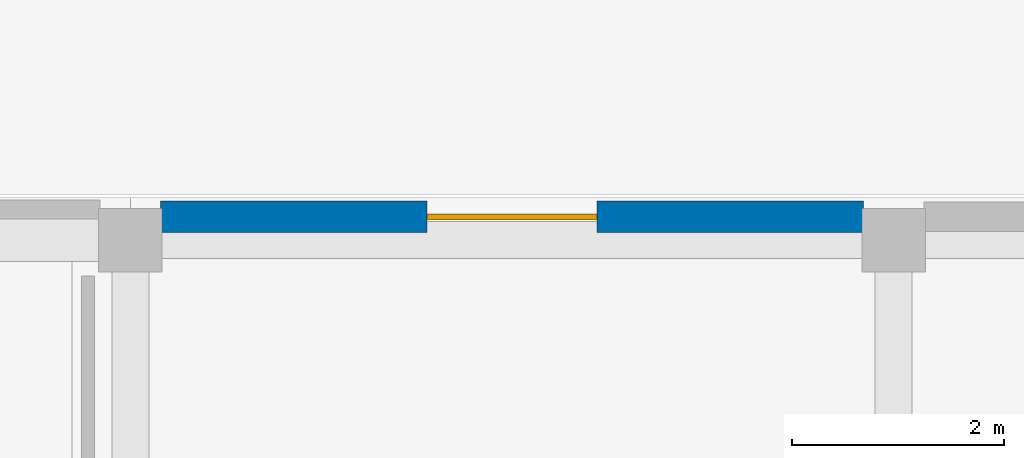
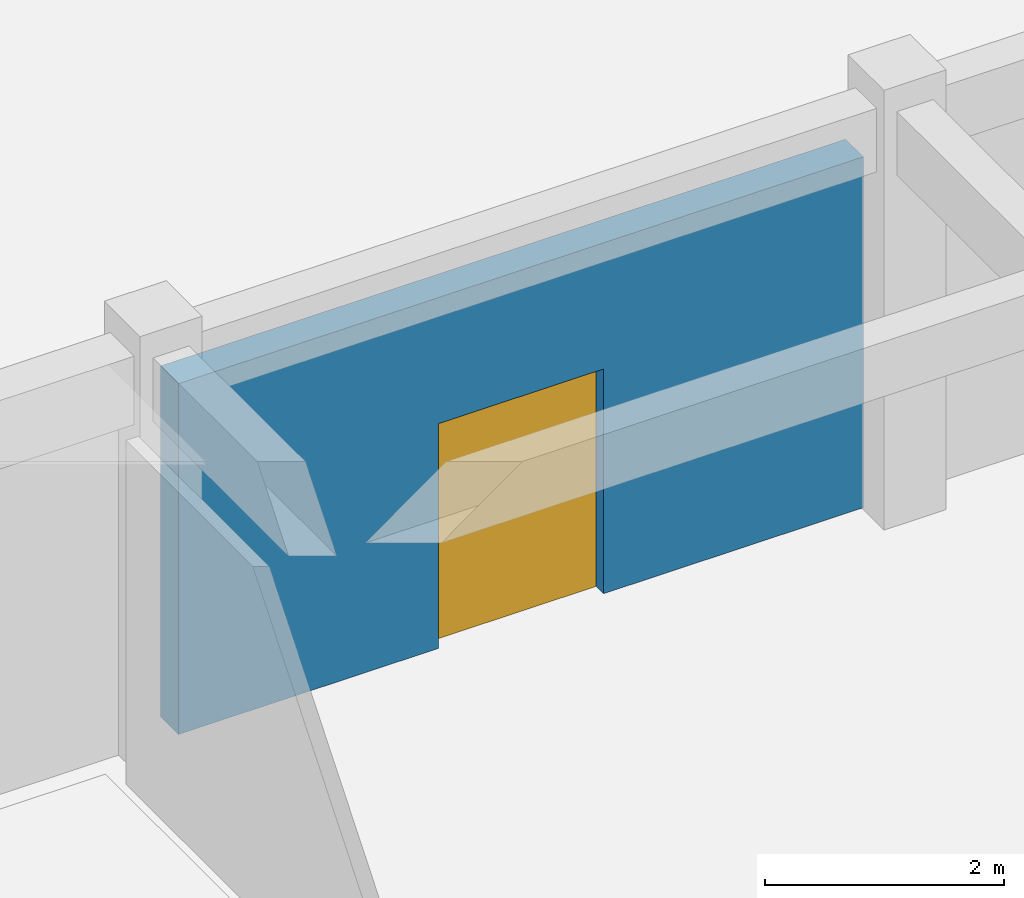
# One storey, part 32 of 58: 1 door, 1 wall, 1 opening.
"""IFC4 building model written with IfcOpenShell, lengths in metres."""

from ifc_helpers import new_model, si_unit, direction, frame, frame_2d, origin, place, context, subcontext, project, spatial, rectangle, extrude, material, layer, layer_set, type_object, element, fill, save


model = new_model("IFC4")

# Units and contexts
model_context = context("Model", 3, precision=1e-05, world=origin(), true_north=direction((0.0, 1.0)))
body_context = subcontext(model_context, "Body", "Model", "MODEL_VIEW")
ifc_project = project(units=[si_unit("LENGTHUNIT", "METRE"), si_unit("AREAUNIT", "SQUARE_METRE"), si_unit("VOLUMEUNIT", "CUBIC_METRE"), si_unit("PLANEANGLEUNIT", "RADIAN"), si_unit("MASSUNIT", "GRAM", prefix="KILO")], contexts=[model_context])

# Site, building, storey
site_placement = place(None, origin())
site = spatial("IfcSite", under=ifc_project, at=site_placement, CompositionType="ELEMENT")
building_placement = place(site_placement, origin())
building = spatial("IfcBuilding", under=site, at=building_placement, Name="Brisavento Harbour Community Centre", CompositionType="ELEMENT")
storey_placement = place(building_placement, origin())
storey = spatial("IfcBuildingStorey", under=building, at=storey_placement, Name="L00", CompositionType="ELEMENT", Elevation=0.0)

# Wall, opening, door
ifc_material_1 = material(Name="Concrete C35/45", Category="concrete")
ifc_layer = layer(ifc_material_1, 0.300048828125, Name="Concrete C35/45")
ifc_layer_set = layer_set([ifc_layer], Name="Concrete C35/45")
wall_type = type_object("IfcWallType", Name="WL-EXT-300", PredefinedType="SOLIDWALL", material=ifc_layer_set)
wall_placement = place(storey_placement, frame((122.68505859375, 28.6201171875, 0.0), z_axis=(0.0, 0.0, 1.0), x_axis=(1.0, 0.0, 0.0)))
wall = element("IfcWall", 1, at=wall_placement, inside=storey, type_object=wall_type, Name="L00 V3 exterior wall 0135", PredefinedType="SOLIDWALL", context=body_context, shape_type="SweptSolid", body=[
    extrude(rectangle(XDim=6.6298828125, YDim=0.300048828125, at=frame_2d((3.31494140625, 0.0))), origin(), (0.0, 0.0, 1.0), 3.590087890625),
])
opening_placement = place(wall_placement, frame((2.514892578125, 0.0, 0.0)))
opening = element("IfcOpeningElement", 2, at=opening_placement, cuts=wall, Name="Opening ED-04", PredefinedType="OPENING", context=body_context, shape_type="SweptSolid", body=[
    extrude(rectangle(XDim=1.60009765625, YDim=2.300048828125, at=frame_2d((0.800048828125, 1.14990234375))), frame((0.0, 0.16015625, 0.0), z_axis=(0.0, -1.0, 0.0), x_axis=(1.0, 0.0, 0.0)), (0.0, 0.0, 1.0), 0.320068359375),
])
ifc_material_2 = material(Name="Marine-anodised aluminium AW-6063-T6", Category="aluminium")
door_type = type_object("IfcDoorType", Name="DR-EXT-160x230", OperationType="NOTDEFINED", PredefinedType="DOOR", material=ifc_material_2)
door_placement = place(opening_placement, origin())
door = element("IfcDoor", 3, at=door_placement, inside=storey, type_object=door_type, Name="L00 V3 exterior exit door 010", OperationType="SINGLE_SWING_LEFT", OverallHeight=2.300048828125, OverallWidth=1.60009765625, PredefinedType="DOOR", context=body_context, shape_type="SweptSolid", body=[
    extrude(rectangle(XDim=1.60009765625, YDim=2.300048828125, at=frame_2d((0.800048828125, 1.14990234375))), frame((0.0, 0.02490234375, 0.0), z_axis=(0.0, -1.0, 0.0), x_axis=(1.0, 0.0, 0.0)), (0.0, 0.0, 1.0), 0.050048828125),
])
fill(opening, door)

save(model, "model.ifc")
